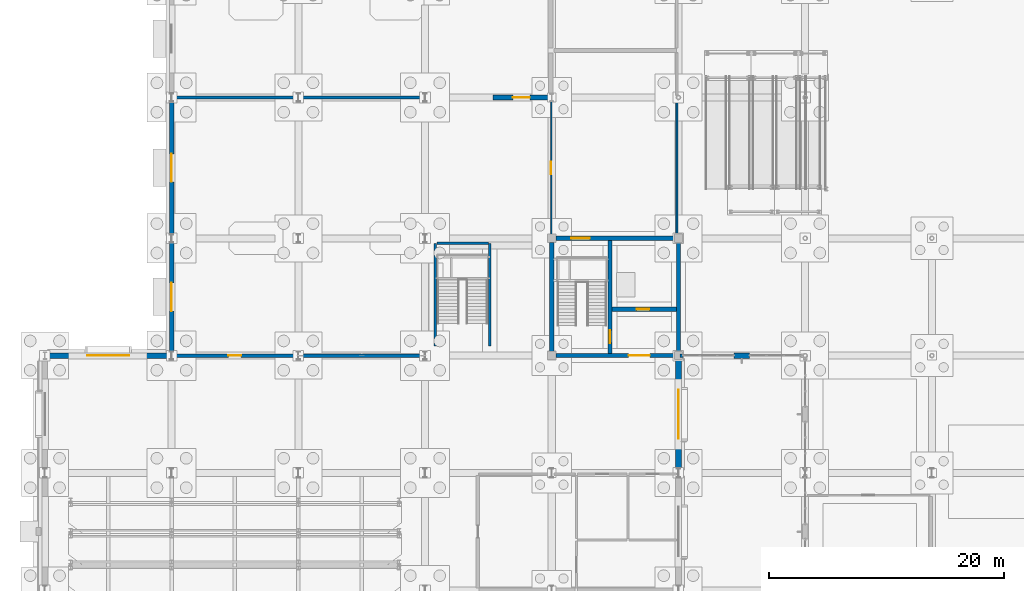
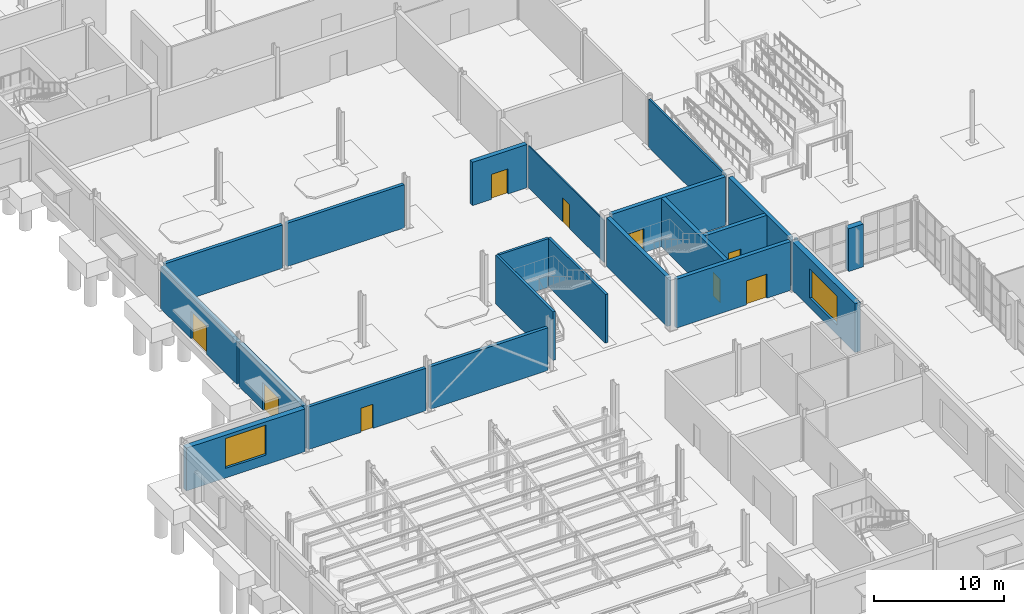
# One storey, part 52 of 73: 22 walls, 9 doors, 2 windows, 11 openings.
"""IFC4 building model written with IfcOpenShell, lengths in metres."""

from ifc_helpers import new_model, si_unit, direction, frame, frame_2d, origin, place, context, subcontext, project, spatial, rectangle, extrude, material, layer, layer_set, type_object, element, fill, save


model = new_model("IFC4")

# Units and contexts
model_context = context("Model", 3, precision=1e-05, world=origin(), true_north=direction((0.0, 1.0)))
body_context = subcontext(model_context, "Body", "Model", "MODEL_VIEW")
ifc_project = project(units=[si_unit("LENGTHUNIT", "METRE"), si_unit("AREAUNIT", "SQUARE_METRE"), si_unit("VOLUMEUNIT", "CUBIC_METRE"), si_unit("PLANEANGLEUNIT", "RADIAN"), si_unit("MASSUNIT", "GRAM", prefix="KILO")], contexts=[model_context])

# Site, building, storey
site_placement = place(None, origin())
site = spatial("IfcSite", under=ifc_project, at=site_placement, CompositionType="ELEMENT")
building_placement = place(site_placement, origin())
building = spatial("IfcBuilding", under=site, at=building_placement, Name="Tasgan Crest Museum", CompositionType="ELEMENT")
storey_placement = place(building_placement, origin())
storey = spatial("IfcBuildingStorey", under=building, at=storey_placement, Name="L00", CompositionType="ELEMENT", Elevation=0.0)

# Wall, opening, door
ifc_material_1 = material(Name="Double-Stud Acoustic Auditorium Wall")
ifc_layer_1 = layer(ifc_material_1, 0.280029296875, Name="WL-ACOUST-280")
ifc_layer_set_1 = layer_set([ifc_layer_1], Name="Double-Stud Acoustic Auditorium Wall")
wall_type_1 = type_object("IfcWallType", Name="WL-ACOUST-280", PredefinedType="SOLIDWALL", material=ifc_layer_set_1)
wall_1_placement = place(storey_placement, frame((10.97998046875, 40.0, 0.0), z_axis=(0.0, 0.0, 1.0), x_axis=(1.0, 0.0, 0.0)))
wall_1 = element("IfcWall", 1, at=wall_1_placement, inside=storey, type_object=wall_type_1, Name="Partition Auditorium Foyer / Orientation Exhibition Gallery L00", PredefinedType="SOLIDWALL", context=body_context, shape_type="SweptSolid", body=[
    extrude(rectangle(XDim=10.419921875, YDim=0.280029296875, at=frame_2d((5.2099609375, 0.0))), origin(), (0.0, 0.0, 1.0), 3.989013671875),
])
opening_1_placement = place(wall_1_placement, frame((4.669921875, 0.0, 0.0)))
opening_1 = element("IfcOpeningElement", 2, at=opening_1_placement, cuts=wall_1, Name="Opening D005", PredefinedType="OPENING", context=body_context, shape_type="SweptSolid", body=[
    extrude(rectangle(XDim=1.080078125, YDim=2.25, at=frame_2d((0.5400390625, 1.125))), frame((0.0, 0.14990234375, 0.0), z_axis=(0.0, -1.0, 0.0), x_axis=(1.0, 0.0, 0.0)), (0.0, 0.0, 1.0), 0.300048828125),
])
ifc_material_2 = material(Name="Oak and Brushed Bronze Acoustic Door")
door_type_1 = type_object("IfcDoorType", Name="DR-SCH-05", OperationType="NOTDEFINED", PredefinedType="DOOR", material=ifc_material_2)
door_1_placement = place(opening_1_placement, origin())
door_1 = element("IfcDoor", 3, at=door_1_placement, inside=storey, type_object=door_type_1, Name="Orientation Exhibition Gallery door D005", OperationType="SINGLE_SWING_LEFT", OverallHeight=2.25, OverallWidth=1.080078125, PredefinedType="DOOR", context=body_context, shape_type="SweptSolid", body=[
    extrude(rectangle(XDim=1.080078125, YDim=2.25, at=frame_2d((0.5400390625, 1.125))), frame((0.0, 0.02490234375, 0.0), z_axis=(0.0, -1.0, 0.0), x_axis=(1.0, 0.0, 0.0)), (0.0, 0.0, 1.0), 0.050048828125),
])
fill(opening_1, door_1)

# Wall
wall_2_placement = place(storey_placement, frame((21.800048828125, 40.0, 0.0), z_axis=(0.0, 0.0, 1.0), x_axis=(1.0, 0.0, 0.0)))
element("IfcWall", 4, at=wall_2_placement, inside=storey, type_object=wall_type_1, Name="Partition Auditorium Foyer / Orientation Exhibition Gallery L00", PredefinedType="SOLIDWALL", context=body_context, shape_type="SweptSolid", body=[
    extrude(rectangle(XDim=10.39990234375, YDim=0.280029296875, at=frame_2d((5.199951171875, 0.0))), origin(), (0.0, 0.0, 1.0), 3.989013671875),
])

# Wall, opening, door
ifc_material_3 = material(Name="Concrete C40/50", Category="concrete")
ifc_layer_2 = layer(ifc_material_3, 0.35009765625, Name="WL-CORE-350")
ifc_layer_set_2 = layer_set([ifc_layer_2], Name="Concrete C40/50")
wall_type_2 = type_object("IfcWallType", Name="WL-CORE-350", PredefinedType="SHEAR", material=ifc_layer_set_2)
wall_3_placement = place(storey_placement, frame((43.550048828125, 40.0, 0.0), z_axis=(0.0, 0.0, 1.0), x_axis=(1.0, 0.0, 0.0)))
wall_3 = element("IfcWall", 5, at=wall_3_placement, inside=storey, type_object=wall_type_2, Name="South-West Foyer & Paleontology Core south shear wall L00", PredefinedType="SHEAR", context=body_context, shape_type="SweptSolid", body=[
    extrude(rectangle(XDim=10.099853515625, YDim=0.35009765625, at=frame_2d((5.0498046875, 0.0))), origin(), (0.0, 0.0, 1.0), 4.56005859375),
])
opening_2_placement = place(wall_3_placement, frame((6.2099609375, 0.0, 0.0)))
opening_2 = element("IfcOpeningElement", 6, at=opening_2_placement, cuts=wall_3, Name="Opening LD-SW-L00", PredefinedType="OPENING", context=body_context, shape_type="SweptSolid", body=[
    extrude(rectangle(XDim=1.800048828125, YDim=2.25, at=frame_2d((0.89990234375, 1.125))), frame((0.0, 0.18505859375, 0.0), z_axis=(0.0, -1.0, 0.0), x_axis=(1.0, 0.0, 0.0)), (0.0, 0.0, 1.0), 0.3701171875),
])
ifc_material_4 = material(Name="Fire-Rated Double Lobby Door")
door_type_2 = type_object("IfcDoorType", Name="DR-FD2-1800", OperationType="NOTDEFINED", PredefinedType="DOOR", material=ifc_material_4)
door_2_placement = place(opening_2_placement, origin())
door_2 = element("IfcDoor", 7, at=door_2_placement, inside=storey, type_object=door_type_2, Name="South-West Foyer & Paleontology Core lobby door L00", OperationType="DOUBLE_DOOR_SINGLE_SWING", OverallHeight=2.25, OverallWidth=1.800048828125, PredefinedType="DOOR", context=body_context, shape_type="SweptSolid", body=[
    extrude(rectangle(XDim=1.800048828125, YDim=2.25, at=frame_2d((0.89990234375, 1.125))), frame((0.0, 0.02490234375, 0.0), z_axis=(0.0, -1.0, 0.0), x_axis=(1.0, 0.0, 0.0)), (0.0, 0.0, 1.0), 0.050048828125),
])
fill(opening_2, door_2)

wall_4_placement = place(storey_placement, frame((43.550048828125, 50.0, 0.0), z_axis=(0.0, 0.0, 1.0), x_axis=(1.0, 0.0, 0.0)))
wall_4 = element("IfcWall", 8, at=wall_4_placement, inside=storey, type_object=wall_type_2, Name="South-West Foyer & Paleontology Core north shear wall L00", PredefinedType="SHEAR", context=body_context, shape_type="SweptSolid", body=[
    extrude(rectangle(XDim=10.099853515625, YDim=0.35009765625, at=frame_2d((5.0498046875, 0.0))), origin(), (0.0, 0.0, 1.0), 4.56005859375),
])
opening_3_placement = place(wall_4_placement, frame((1.300048828125, 0.0, 0.0)))
opening_3 = element("IfcOpeningElement", 9, at=opening_3_placement, cuts=wall_4, Name="Opening EX-SW", PredefinedType="OPENING", context=body_context, shape_type="SweptSolid", body=[
    extrude(rectangle(XDim=1.60009765625, YDim=2.199951171875, at=frame_2d((0.800048828125, 1.10009765625))), frame((0.0, 0.18505859375, 0.0), z_axis=(0.0, -1.0, 0.0), x_axis=(1.0, 0.0, 0.0)), (0.0, 0.0, 1.0), 0.3701171875),
])
ifc_material_5 = material(Name="Fire-Rated Stair Exit Door")
door_type_3 = type_object("IfcDoorType", Name="DR-FD3-1600", OperationType="NOTDEFINED", PredefinedType="DOOR", material=ifc_material_5)
door_3_placement = place(opening_3_placement, origin())
door_3 = element("IfcDoor", 10, at=door_3_placement, inside=storey, type_object=door_type_3, Name="South-West Foyer & Paleontology Core ground stair discharge door", OperationType="DOUBLE_DOOR_SINGLE_SWING", OverallHeight=2.199951171875, OverallWidth=1.60009765625, PredefinedType="DOOR", context=body_context, shape_type="SweptSolid", body=[
    extrude(rectangle(XDim=1.60009765625, YDim=2.199951171875, at=frame_2d((0.800048828125, 1.10009765625))), frame((0.0, 0.02490234375, 0.0), z_axis=(0.0, -1.0, 0.0), x_axis=(1.0, 0.0, 0.0)), (0.0, 0.0, 1.0), 0.050048828125),
])
fill(opening_3, door_3)

# Walls
for number, where, z_axis, x_axis, name in (
    (11, (43.199951171875, 40.35009765625, 0.0), (0.0, 0.0, 1.0), (0.0, 1.0, 0.0), "South-West Foyer & Paleontology Core west shear wall L00"),
    (12, (54.0, 40.35009765625, 0.0), (0.0, 0.0, 1.0), (0.0, 1.0, 0.0), "South-West Foyer & Paleontology Core east shear wall L00"),
):
    element("IfcWall", number, at=place(storey_placement, frame(where, z_axis=z_axis, x_axis=x_axis)), inside=storey, type_object=wall_type_2, Name=name, PredefinedType="SHEAR", context=body_context, shape_type="SweptSolid", body=[
        extrude(rectangle(XDim=9.2998046875, YDim=0.35009765625, at=frame_2d((4.64990234375, 0.0))), origin(), (0.0, 0.0, 1.0), 4.56005859375),
    ])

# Wall, opening, door
wall_5_placement = place(storey_placement, frame((48.14990234375, 40.175048828125, 0.0), z_axis=(0.0, 0.0, 1.0), x_axis=(0.0, 1.0, 0.0)))
wall_5 = element("IfcWall", 13, at=wall_5_placement, inside=storey, type_object=wall_type_2, Name="South-West Foyer & Paleontology Core stair-lobby shear wall L00", PredefinedType="SHEAR", context=body_context, shape_type="SweptSolid", body=[
    extrude(rectangle(XDim=9.64990234375, YDim=0.35009765625, at=frame_2d((4.824951171875, 0.0))), origin(), (0.0, 0.0, 1.0), 4.56005859375),
])
opening_4_placement = place(wall_5_placement, frame((0.89990234375, 0.0, 0.0)))
opening_4 = element("IfcOpeningElement", 14, at=opening_4_placement, cuts=wall_5, Name="Opening SD-SW-L00", PredefinedType="OPENING", context=body_context, shape_type="SweptSolid", body=[
    extrude(rectangle(XDim=1.10009765625, YDim=2.199951171875, at=frame_2d((0.550048828125, 1.10009765625))), frame((0.0, 0.18505859375, 0.0), z_axis=(0.0, -1.0, 0.0), x_axis=(1.0, 0.0, 0.0)), (0.0, 0.0, 1.0), 0.3701171875),
])
ifc_material_6 = material(Name="Fire-Rated Steel Door", Category="steel")
door_type_4 = type_object("IfcDoorType", Name="DR-FD1-1100", OperationType="NOTDEFINED", PredefinedType="DOOR", material=ifc_material_6)
door_4_placement = place(opening_4_placement, origin())
door_4 = element("IfcDoor", 15, at=door_4_placement, inside=storey, type_object=door_type_4, Name="South-West Foyer & Paleontology Core stair door L00", OperationType="SINGLE_SWING_LEFT", OverallHeight=2.199951171875, OverallWidth=1.10009765625, PredefinedType="DOOR", context=body_context, shape_type="SweptSolid", body=[
    extrude(rectangle(XDim=1.10009765625, YDim=2.199951171875, at=frame_2d((0.550048828125, 1.10009765625))), frame((0.0, 0.02490234375, 0.0), z_axis=(0.0, -1.0, 0.0), x_axis=(1.0, 0.0, 0.0)), (0.0, 0.0, 1.0), 0.050048828125),
])
fill(opening_4, door_4)

wall_6_placement = place(storey_placement, frame((48.330078125, 43.949951171875, 0.0), z_axis=(0.0, 0.0, 1.0), x_axis=(1.0, 0.0, 0.0)))
wall_6 = element("IfcWall", 16, at=wall_6_placement, inside=storey, type_object=wall_type_2, Name="South-West Foyer & Paleontology Core lift-shaft wall L00", PredefinedType="SHEAR", context=body_context, shape_type="SweptSolid", body=[
    extrude(rectangle(XDim=5.489990234375, YDim=0.35009765625, at=frame_2d((2.7451171875, 0.0))), origin(), (0.0, 0.0, 1.0), 4.56005859375),
])
opening_5_placement = place(wall_6_placement, frame((2.10009765625, 0.0, 0.0)))
opening_5 = element("IfcOpeningElement", 17, at=opening_5_placement, cuts=wall_6, Name="Opening LD-PL3", PredefinedType="OPENING", context=body_context, shape_type="SweptSolid", body=[
    extrude(rectangle(XDim=1.10009765625, YDim=2.199951171875, at=frame_2d((0.550048828125, 1.10009765625))), frame((0.0, 0.18505859375, 0.0), z_axis=(0.0, -1.0, 0.0), x_axis=(1.0, 0.0, 0.0)), (0.0, 0.0, 1.0), 0.3701171875),
])
ifc_material_7 = material(Name="Brushed Bronze Passenger Lift Landing Door")
door_type_5 = type_object("IfcDoorType", Name="LD-PAX-1100", OperationType="NOTDEFINED", PredefinedType="DOOR", material=ifc_material_7)
door_5_placement = place(opening_5_placement, origin())
door_5 = element("IfcDoor", 18, at=door_5_placement, inside=storey, type_object=door_type_5, Name="Lift landing sliding door PL3 L00", OperationType="DOUBLE_DOOR_SLIDING", OverallHeight=2.199951171875, OverallWidth=1.10009765625, PredefinedType="DOOR", context=body_context, shape_type="SweptSolid", body=[
    extrude(rectangle(XDim=1.10009765625, YDim=2.199951171875, at=frame_2d((0.550048828125, 1.10009765625))), frame((0.0, 0.02490234375, 0.0), z_axis=(0.0, -1.0, 0.0), x_axis=(1.0, 0.0, 0.0)), (0.0, 0.0, 1.0), 0.050048828125),
])
fill(opening_5, door_5)

ifc_material_8 = material(Name="Precast concrete C40/50", Category="concrete")
ifc_layer_3 = layer(ifc_material_8, 0.3798828125, Name="WL-EXT-CANT-380")
ifc_layer_set_3 = layer_set([ifc_layer_3], Name="Precast concrete C40/50")
wall_type_3 = type_object("IfcWallType", Name="WL-EXT-CANT-380", PredefinedType="STANDARD", material=ifc_layer_set_3)
wall_7_placement = place(storey_placement, frame((10.800048828125, 61.85498046875, 0.0), z_axis=(0.0, 0.0, 1.0), x_axis=(0.0, -1.0, 0.0)))
wall_7 = element("IfcWall", 19, at=wall_7_placement, inside=storey, type_object=wall_type_3, Name="Exterior wall L00 (10.8,56.0)", PredefinedType="STANDARD", context=body_context, shape_type="SweptSolid", body=[
    extrude(rectangle(XDim=11.7099609375, YDim=0.3798828125, at=frame_2d((5.85498046875, 0.0))), origin(), (0.0, 0.0, 1.0), 3.93896484375),
])
opening_6_placement = place(wall_7_placement, frame((4.655029296875, 0.0, 0.0)))
opening_6 = element("IfcOpeningElement", 20, at=opening_6_placement, cuts=wall_7, Name="Opening ED014", PredefinedType="OPENING", context=body_context, shape_type="SweptSolid", body=[
    extrude(rectangle(XDim=2.39990234375, YDim=2.60009765625, at=frame_2d((1.199951171875, 1.300048828125))), frame((0.0, 0.199951171875, 0.0), z_axis=(0.0, -1.0, 0.0), x_axis=(1.0, 0.0, 0.0)), (0.0, 0.0, 1.0), 0.39990234375),
])
ifc_material_9 = material(Name="Thermally Broken Insulated Steel and Bronze", Category="steel")
door_type_6 = type_object("IfcDoorType", Name="DR-EXT-ENTRY-2400", OperationType="NOTDEFINED", PredefinedType="DOOR", material=ifc_material_9)
door_6_placement = place(opening_6_placement, frame((2.39990234375, 0.0, 0.0), z_axis=(0.0, 0.0, 1.0), x_axis=(-1.0, 0.0, 0.0)))
door_6 = element("IfcDoor", 21, at=door_6_placement, inside=storey, type_object=door_type_6, Name="West sculpture passage exit door ED014", OperationType="DOUBLE_DOOR_SINGLE_SWING", OverallHeight=2.60009765625, OverallWidth=2.39990234375, PredefinedType="DOOR", context=body_context, shape_type="SweptSolid", body=[
    extrude(rectangle(XDim=2.39990234375, YDim=2.60009765625, at=frame_2d((1.199951171875, 1.300048828125))), frame((0.0, 0.02490234375, 0.0), z_axis=(0.0, -1.0, 0.0), x_axis=(1.0, 0.0, 0.0)), (0.0, 0.0, 1.0), 0.050048828125),
])
fill(opening_6, door_6)

wall_8_placement = place(storey_placement, frame((10.800048828125, 49.85498046875, 0.0), z_axis=(0.0, 0.0, 1.0), x_axis=(0.0, -1.0, 0.0)))
wall_8 = element("IfcWall", 22, at=wall_8_placement, inside=storey, type_object=wall_type_3, Name="Exterior wall L00 (10.8,45.0)", PredefinedType="STANDARD", context=body_context, shape_type="SweptSolid", body=[
    extrude(rectangle(XDim=9.7099609375, YDim=0.3798828125, at=frame_2d((4.85498046875, 0.0))), origin(), (0.0, 0.0, 1.0), 4.0400390625),
])
opening_7_placement = place(wall_8_placement, frame((3.655029296875, 0.0, 0.0)))
opening_7 = element("IfcOpeningElement", 23, at=opening_7_placement, cuts=wall_8, Name="Opening ED015", PredefinedType="OPENING", context=body_context, shape_type="SweptSolid", body=[
    extrude(rectangle(XDim=2.39990234375, YDim=2.60009765625, at=frame_2d((1.199951171875, 1.300048828125))), frame((0.0, 0.199951171875, 0.0), z_axis=(0.0, -1.0, 0.0), x_axis=(1.0, 0.0, 0.0)), (0.0, 0.0, 1.0), 0.39990234375),
])
door_7_placement = place(opening_7_placement, frame((2.39990234375, 0.0, 0.0), z_axis=(0.0, 0.0, 1.0), x_axis=(-1.0, 0.0, 0.0)))
door_7 = element("IfcDoor", 24, at=door_7_placement, inside=storey, type_object=door_type_6, Name="West sculpture passage exit door ED015", OperationType="DOUBLE_DOOR_SINGLE_SWING", OverallHeight=2.60009765625, OverallWidth=2.39990234375, PredefinedType="DOOR", context=body_context, shape_type="SweptSolid", body=[
    extrude(rectangle(XDim=2.39990234375, YDim=2.60009765625, at=frame_2d((1.199951171875, 1.300048828125))), frame((0.0, 0.02490234375, 0.0), z_axis=(0.0, -1.0, 0.0), x_axis=(1.0, 0.0, 0.0)), (0.0, 0.0, 1.0), 0.050048828125),
])
fill(opening_7, door_7)

# Wall
ifc_material_10 = material(Name="Precast concrete C40/50", Category="concrete")
ifc_layer_4 = layer(ifc_material_10, 0.320068359375, Name="WL-EXT-CLER-320")
ifc_layer_set_4 = layer_set([ifc_layer_4], Name="Precast concrete C40/50")
wall_type_4 = type_object("IfcWallType", Name="WL-EXT-CLER-320", PredefinedType="STANDARD", material=ifc_layer_set_4)
wall_9_placement = place(storey_placement, frame((54.14501953125, 40.0, 0.0), z_axis=(0.0, 0.0, 1.0), x_axis=(1.0, 0.0, 0.0)))
element("IfcWall", 25, at=wall_9_placement, inside=storey, type_object=wall_type_4, Name="Curtain wall jamb closure L00 JL", PredefinedType="STANDARD", context=body_context, shape_type="SweptSolid", body=[
    extrude(rectangle(XDim=0.22509765625, YDim=0.300048828125, at=frame_2d((0.112548828125, 0.0))), origin(), (0.0, 0.0, 1.0), 4.56005859375),
])

# Wall, opening, window
ifc_material_11 = material(Name="Precast concrete C40/50", Category="concrete")
ifc_layer_5 = layer(ifc_material_11, 0.47998046875, Name="WL-EXT-GRAN-480")
ifc_layer_set_5 = layer_set([ifc_layer_5], Name="Precast concrete C40/50")
wall_type_5 = type_object("IfcWallType", Name="WL-EXT-GRAN-480", PredefinedType="STANDARD", material=ifc_layer_set_5)
wall_10_placement = place(storey_placement, frame((54.0, 30.14501953125, 0.0), z_axis=(0.0, 0.0, 1.0), x_axis=(0.0, 1.0, 0.0)))
wall_10 = element("IfcWall", 26, at=wall_10_placement, inside=storey, type_object=wall_type_5, Name="Exterior wall L00 (54.0,35.0)", PredefinedType="STANDARD", context=body_context, shape_type="SweptSolid", body=[
    extrude(rectangle(XDim=9.7099609375, YDim=0.47998046875, at=frame_2d((4.85498046875, 0.0))), origin(), (0.0, 0.0, 1.0), 4.56005859375),
])
opening_8_placement = place(wall_10_placement, frame((2.7548828125, 0.0, 0.89990234375)))
opening_8 = element("IfcOpeningElement", 27, at=opening_8_placement, cuts=wall_10, Name="Opening W03", PredefinedType="OPENING", context=body_context, shape_type="SweptSolid", body=[
    extrude(rectangle(XDim=4.199951171875, YDim=2.699951171875, at=frame_2d((2.10009765625, 1.35009765625))), frame((0.0, 0.25, 0.0), z_axis=(0.0, -1.0, 0.0), x_axis=(1.0, 0.0, 0.0)), (0.0, 0.0, 1.0), 0.5),
])
ifc_material_12 = material(Name="Thermally Broken Triple-Glazed Aluminium", Category="aluminium")
window_type_1 = type_object("IfcWindowType", Name="WN-CAFE-4200X2700", PartitioningType="SINGLE_PANEL", PredefinedType="WINDOW", material=ifc_material_12)
window_1_placement = place(opening_8_placement, origin())
window_1 = element("IfcWindow", 28, at=window_1_placement, inside=storey, type_object=window_type_1, Name="Window W03 L00-005", OverallHeight=2.699951171875, OverallWidth=4.199951171875, PartitioningType="SINGLE_PANEL", PredefinedType="WINDOW", context=body_context, shape_type="SweptSolid", body=[
    extrude(rectangle(XDim=4.199951171875, YDim=2.699951171875, at=frame_2d((2.10009765625, 1.35009765625))), frame((0.0, 0.030029296875, 0.0), z_axis=(0.0, -1.0, 0.0), x_axis=(1.0, 0.0, 0.0)), (0.0, 0.0, 1.0), 0.06005859375),
])
fill(opening_8, window_1)

# Wall
wall_11_placement = place(storey_placement, frame((58.75, 40.0, 0.0), z_axis=(0.0, 0.0, 1.0), x_axis=(1.0, 0.0, 0.0)))
element("IfcWall", 29, at=wall_11_placement, inside=storey, type_object=wall_type_5, Name="Postmodern facade stone pier L00", PredefinedType="STANDARD", context=body_context, shape_type="SweptSolid", body=[
    extrude(rectangle(XDim=1.300048828125, YDim=0.47998046875, at=frame_2d((0.64990234375, 0.0))), origin(), (0.0, 0.0, 1.0), 4.009033203125),
])

# Wall, opening, window
wall_12_placement = place(storey_placement, frame((10.655029296875, 40.0, 0.0), z_axis=(0.0, 0.0, 1.0), x_axis=(-1.0, 0.0, 0.0)))
wall_12 = element("IfcWall", 30, at=wall_12_placement, inside=storey, type_object=wall_type_5, Name="Exterior wall L00 (5.4,40.0)", PredefinedType="STANDARD", context=body_context, shape_type="SweptSolid", body=[
    extrude(rectangle(XDim=10.510009765625, YDim=0.47998046875, at=frame_2d((5.2548828125, 0.0))), origin(), (0.0, 0.0, 1.0), 4.009033203125),
])
opening_9_placement = place(wall_12_placement, frame((3.455078125, 0.0, 0.89990234375)))
opening_9 = element("IfcOpeningElement", 31, at=opening_9_placement, cuts=wall_12, Name="Opening W01", PredefinedType="OPENING", context=body_context, shape_type="SweptSolid", body=[
    extrude(rectangle(XDim=3.60009765625, YDim=2.800048828125, at=frame_2d((1.800048828125, 1.39990234375))), frame((0.0, 0.25, 0.0), z_axis=(0.0, -1.0, 0.0), x_axis=(1.0, 0.0, 0.0)), (0.0, 0.0, 1.0), 0.5),
])
ifc_material_13 = material(Name="Thermally Broken Triple-Glazed Aluminium", Category="aluminium")
window_type_2 = type_object("IfcWindowType", Name="WN-FOY-3600X2800", PartitioningType="SINGLE_PANEL", PredefinedType="WINDOW", material=ifc_material_13)
window_2_placement = place(opening_9_placement, origin())
window_2 = element("IfcWindow", 32, at=window_2_placement, inside=storey, type_object=window_type_2, Name="Window W01 L00-020", OverallHeight=2.800048828125, OverallWidth=3.60009765625, PartitioningType="SINGLE_PANEL", PredefinedType="WINDOW", context=body_context, shape_type="SweptSolid", body=[
    extrude(rectangle(XDim=3.60009765625, YDim=2.800048828125, at=frame_2d((1.800048828125, 1.39990234375))), frame((0.0, 0.030029296875, 0.0), z_axis=(0.0, -1.0, 0.0), x_axis=(1.0, 0.0, 0.0)), (0.0, 0.0, 1.0), 0.06005859375),
])
fill(opening_9, window_2)

# Wall, opening, door
ifc_material_14 = material(Name="Gypsum Acoustic Museum Partition")
ifc_layer_6 = layer(ifc_material_14, 0.110107421875, Name="WL-SCH-01")
ifc_layer_set_6 = layer_set([ifc_layer_6], Name="Gypsum Acoustic Museum Partition")
wall_type_6 = type_object("IfcWallType", Name="WL-SCH-01", PredefinedType="PARTITIONING", material=ifc_layer_set_6)
wall_13_placement = place(storey_placement, frame((43.14990234375, 50.179931640625, 0.0), z_axis=(0.0, 0.0, 1.0), x_axis=(0.0, 1.0, 0.0)))
wall_13 = element("IfcWall", 33, at=wall_13_placement, inside=storey, type_object=wall_type_6, Name="Partition West Gallery Foyer Corridor / Youth Education Studio L00", PredefinedType="PARTITIONING", context=body_context, shape_type="SweptSolid", body=[
    extrude(rectangle(XDim=11.64013671875, YDim=0.110107421875, at=frame_2d((5.820068359375, 0.0))), origin(), (0.0, 0.0, 1.0), 3.93896484375),
])
opening_10_placement = place(wall_13_placement, frame((5.2900390625, 0.0, 0.0)))
opening_10 = element("IfcOpeningElement", 34, at=opening_10_placement, cuts=wall_13, Name="Opening D022", PredefinedType="OPENING", context=body_context, shape_type="SweptSolid", body=[
    extrude(rectangle(XDim=1.06005859375, YDim=2.219970703125, at=frame_2d((0.530029296875, 1.10986328125))), frame((0.0, 0.06494140625, 0.0), z_axis=(0.0, -1.0, 0.0), x_axis=(1.0, 0.0, 0.0)), (0.0, 0.0, 1.0), 0.130126953125),
])
ifc_material_15 = material(Name="Oak and Brushed Bronze Acoustic Door")
door_type_7 = type_object("IfcDoorType", Name="DR-SCH-22", OperationType="NOTDEFINED", PredefinedType="DOOR", material=ifc_material_15)
door_8_placement = place(opening_10_placement, origin())
door_8 = element("IfcDoor", 35, at=door_8_placement, inside=storey, type_object=door_type_7, Name="Youth Education Studio door D022", OperationType="SINGLE_SWING_RIGHT", OverallHeight=2.219970703125, OverallWidth=1.06005859375, PredefinedType="DOOR", context=body_context, shape_type="SweptSolid", body=[
    extrude(rectangle(XDim=1.06005859375, YDim=2.219970703125, at=frame_2d((0.530029296875, 1.10986328125))), frame((0.0, 0.02490234375, 0.0), z_axis=(0.0, -1.0, 0.0), x_axis=(1.0, 0.0, 0.0)), (0.0, 0.0, 1.0), 0.050048828125),
])
fill(opening_10, door_8)

# Walls
ifc_material_16 = material(Name="Gypsum Acoustic Museum Partition")
ifc_layer_7 = layer(ifc_material_16, 0.169921875, Name="WL-SCH-04")
ifc_layer_set_7 = layer_set([ifc_layer_7], Name="Gypsum Acoustic Museum Partition")
wall_type_7 = type_object("IfcWallType", Name="WL-SCH-04", PredefinedType="PARTITIONING", material=ifc_layer_set_7)
wall_14_placement = place(storey_placement, frame((53.860107421875, 50.179931640625, 0.0), z_axis=(0.0, 0.0, 1.0), x_axis=(0.0, 1.0, 0.0)))
element("IfcWall", 36, at=wall_14_placement, inside=storey, type_object=wall_type_7, Name="Partition Youth Education Studio / Winter-Garden Atrium Concourse L00", PredefinedType="PARTITIONING", context=body_context, shape_type="SweptSolid", body=[
    extrude(rectangle(XDim=11.6201171875, YDim=0.169921875, at=frame_2d((5.81005859375, 0.0))), origin(), (0.0, 0.0, 1.0), 4.52001953125),
])
ifc_material_17 = material(Name="Gypsum Acoustic Museum Partition")
ifc_layer_8 = layer(ifc_material_17, 0.2900390625, Name="WL-SCH-09")
ifc_layer_set_8 = layer_set([ifc_layer_8], Name="Gypsum Acoustic Museum Partition")
wall_type_8 = type_object("IfcWallType", Name="WL-SCH-09", PredefinedType="PARTITIONING", material=ifc_layer_set_8)
wall_15_placement = place(storey_placement, frame((10.97998046875, 62.0, 0.0), z_axis=(0.0, 0.0, 1.0), x_axis=(1.0, 0.0, 0.0)))
element("IfcWall", 37, at=wall_15_placement, inside=storey, type_object=wall_type_8, Name="Partition Orientation Exhibition Gallery / Steppe Heritage Gallery L00", PredefinedType="PARTITIONING", context=body_context, shape_type="SweptSolid", body=[
    extrude(rectangle(XDim=10.419921875, YDim=0.2900390625, at=frame_2d((5.2099609375, 0.0))), origin(), (0.0, 0.0, 1.0), 4.049072265625),
])
wall_16_placement = place(storey_placement, frame((21.800048828125, 62.0, 0.0), z_axis=(0.0, 0.0, 1.0), x_axis=(1.0, 0.0, 0.0)))
element("IfcWall", 38, at=wall_16_placement, inside=storey, type_object=wall_type_8, Name="Partition Orientation Exhibition Gallery / Steppe Heritage Gallery L00", PredefinedType="PARTITIONING", context=body_context, shape_type="SweptSolid", body=[
    extrude(rectangle(XDim=10.39990234375, YDim=0.2900390625, at=frame_2d((5.199951171875, 0.0))), origin(), (0.0, 0.0, 1.0), 4.049072265625),
])

# Wall, opening, door
ifc_material_18 = material(Name="Gypsum Acoustic Museum Partition")
ifc_layer_9 = layer(ifc_material_18, 0.389892578125, Name="WL-SCH-13")
ifc_layer_set_9 = layer_set([ifc_layer_9], Name="Gypsum Acoustic Museum Partition")
wall_type_9 = type_object("IfcWallType", Name="WL-SCH-13", PredefinedType="PARTITIONING", material=ifc_layer_set_9)
wall_17_placement = place(storey_placement, frame((38.199951171875, 62.0, 0.0), z_axis=(0.0, 0.0, 1.0), x_axis=(1.0, 0.0, 0.0)))
wall_17 = element("IfcWall", 39, at=wall_17_placement, inside=storey, type_object=wall_type_9, Name="Partition West Gallery Foyer Corridor / Steppe Heritage Gallery L00", PredefinedType="PARTITIONING", context=body_context, shape_type="SweptSolid", body=[
    extrude(rectangle(XDim=4.820068359375, YDim=0.389892578125, at=frame_2d((2.41015625, 0.0))), origin(), (0.0, 0.0, 1.0), 4.049072265625),
])
opening_11_placement = place(wall_17_placement, frame((1.68505859375, 0.0, 0.0)))
opening_11 = element("IfcOpeningElement", 40, at=opening_11_placement, cuts=wall_17, Name="Opening D009", PredefinedType="OPENING", context=body_context, shape_type="SweptSolid", body=[
    extrude(rectangle(XDim=1.449951171875, YDim=2.35009765625, at=frame_2d((0.72509765625, 1.175048828125))), frame((0.0, 0.204833984375, 0.0), z_axis=(0.0, -1.0, 0.0), x_axis=(1.0, 0.0, 0.0)), (0.0, 0.0, 1.0), 0.409912109375),
])
ifc_material_19 = material(Name="Oak and Brushed Bronze Acoustic Door")
door_type_8 = type_object("IfcDoorType", Name="DR-SCH-09", OperationType="NOTDEFINED", PredefinedType="DOOR", material=ifc_material_19)
door_9_placement = place(opening_11_placement, origin())
door_9 = element("IfcDoor", 41, at=door_9_placement, inside=storey, type_object=door_type_8, Name="Steppe Heritage Gallery door D009", OperationType="SINGLE_SWING_RIGHT", OverallHeight=2.35009765625, OverallWidth=1.449951171875, PredefinedType="DOOR", context=body_context, shape_type="SweptSolid", body=[
    extrude(rectangle(XDim=1.449951171875, YDim=2.35009765625, at=frame_2d((0.72509765625, 1.175048828125))), frame((0.0, 0.02490234375, 0.0), z_axis=(0.0, -1.0, 0.0), x_axis=(1.0, 0.0, 0.0)), (0.0, 0.0, 1.0), 0.050048828125),
])
fill(opening_11, door_9)

# Walls
ifc_material_20 = material(Name="Concrete C40/50", Category="concrete")
ifc_layer_10 = layer(ifc_material_20, 0.219970703125, Name="WL-SHAFT-220")
ifc_layer_set_10 = layer_set([ifc_layer_10], Name="Concrete C40/50")
wall_type_10 = type_object("IfcWallType", Name="WL-SHAFT-220", PredefinedType="SHEAR", material=ifc_layer_set_10)
for number, where, z_axis, x_axis, name in (
    (42, (33.280029296875, 40.800048828125, 0.0), (0.0, 0.0, 1.0), (0.0, 1.0, 0.0), "GALP stairwell wall L00 W"),
    (43, (37.919921875, 40.800048828125, 0.0), (0.0, 0.0, 1.0), (0.0, 1.0, 0.0), "GALP stairwell wall L00 E"),
):
    element("IfcWall", number, at=place(storey_placement, frame(where, z_axis=z_axis, x_axis=x_axis)), inside=storey, type_object=wall_type_10, Name=name, PredefinedType="SHEAR", context=body_context, shape_type="SweptSolid", body=[
        extrude(rectangle(XDim=8.77001953125, YDim=0.219970703125, at=frame_2d((4.385009765625, 0.0))), origin(), (0.0, 0.0, 1.0), 4.56005859375),
    ])
wall_18_placement = place(storey_placement, frame((33.39990234375, 49.570068359375, 0.0), z_axis=(0.0, 0.0, 1.0), x_axis=(1.0, 0.0, 0.0)))
element("IfcWall", 44, at=wall_18_placement, inside=storey, type_object=wall_type_10, Name="GALP stairwell wall L00 N", PredefinedType="SHEAR", context=body_context, shape_type="SweptSolid", body=[
    extrude(rectangle(XDim=4.400146484375, YDim=0.219970703125, at=frame_2d((2.2001953125, 0.0))), origin(), (0.0, 0.0, 1.0), 4.56005859375),
])

save(model, "model.ifc")
